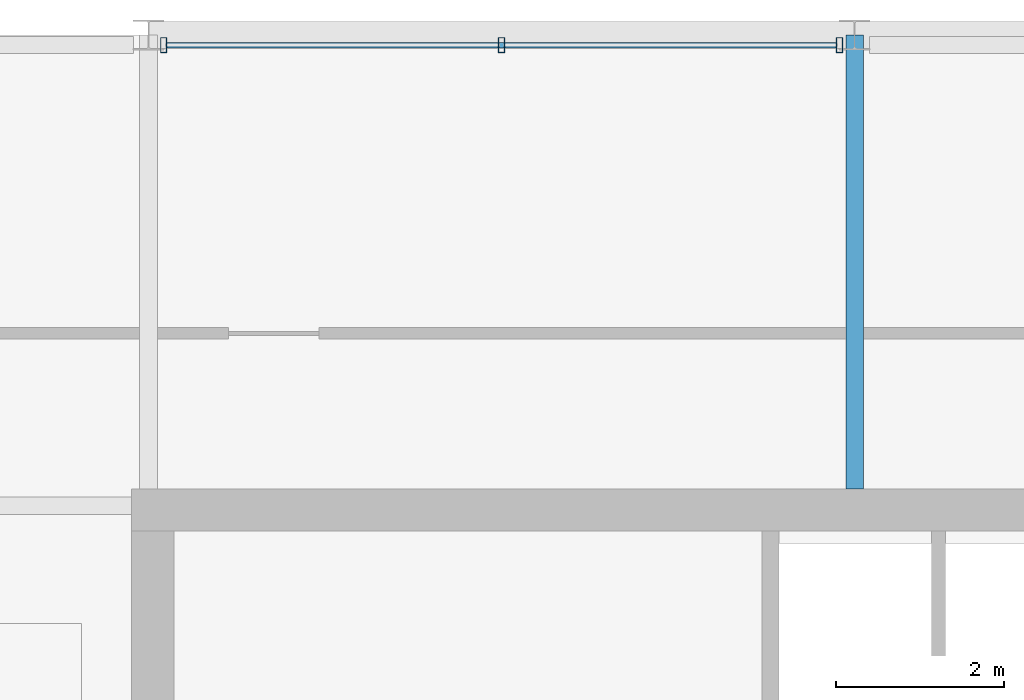
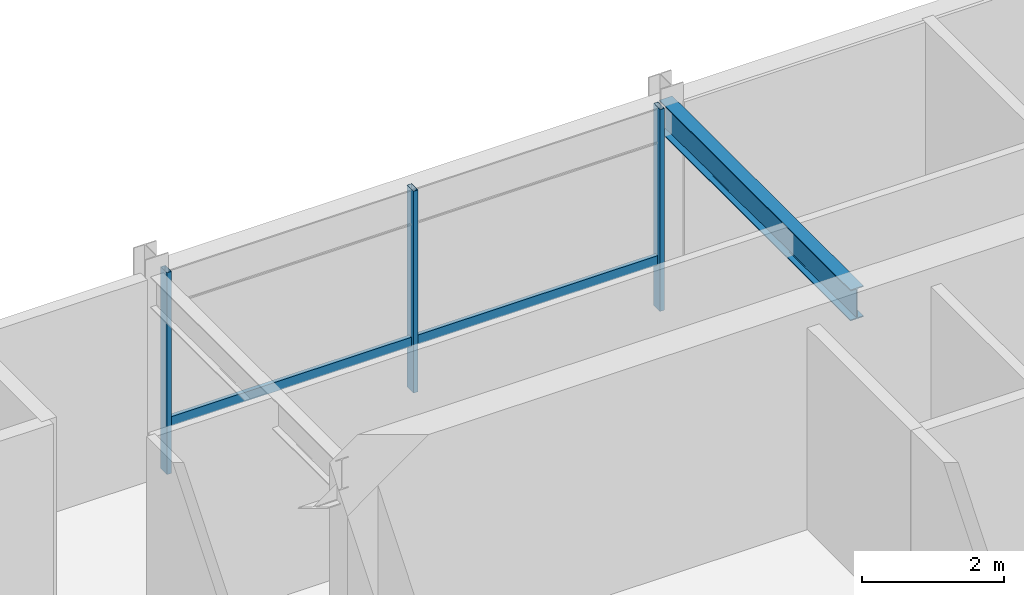
# One storey, part 8 of 12: 4 members, 1 beam, 1 element without a shape of its own.
"""IFC4 building model written with IfcOpenShell, lengths in metres."""

import ifcopenshell
import ifcopenshell.guid

model = None  # the IFC model being written
_history = None  # IfcOwnerHistory: only IFC2X3 demands one
_inside = {}  # id of a spatial element -> (the spatial element, [elements in it])
_under = {}  # id of a project, library or spatial element -> (it, [spatial elements below it])
_declared = {}  # id of a project -> (the project, [libraries it declares])
_typed = {}  # id of a type object -> (the type object, [elements of that type])
_made_of = {}  # id of a material, layer set ... -> (it, [elements and type objects made of it])


def new_model(schema):
    """Start an empty IFC model of exactly this schema.

    Asked for "IFC4X3", IfcOpenShell would pick the latest addendum, in which some entities
    have other attributes; the version numbers below select the first issue.
    IFC2X3 requires an IfcOwnerHistory on every rooted entity: one is made here for all.
    """
    global model, _history
    if schema == "IFC4X3":
        model = ifcopenshell.file(schema_version=(4, 3, 0, 0))
    else:
        model = ifcopenshell.file(schema=schema)
    _inside.clear()
    _under.clear()
    _declared.clear()
    _typed.clear()
    _made_of.clear()
    _history = None
    if model.schema == "IFC2X3":
        org = make("IfcOrganization", Name="unknown")
        user = make(
            "IfcPersonAndOrganization",
            ThePerson=make("IfcPerson", FamilyName="unknown"),
            TheOrganization=org,
        )
        app = make(
            "IfcApplication",
            ApplicationDeveloper=org,
            Version="unknown",
            ApplicationFullName="unknown",
            ApplicationIdentifier="unknown",
        )
        _history = make(
            "IfcOwnerHistory",
            OwningUser=user,
            OwningApplication=app,
            ChangeAction="ADDED",
            CreationDate=0,
        )
    return model


def make(cls, **values):
    """One entity of the class cls with the attributes given. An attribute that is None is left unset."""
    return model.create_entity(
        cls, **{name: value for name, value in values.items() if value is not None}
    )


def rooted(cls, **values):
    """An entity with a GlobalId (a new one), such as an element, a storey or a relation."""
    return make(cls, GlobalId=ifcopenshell.guid.new(), OwnerHistory=_history, **values)


def si_unit(unit_type, name, prefix=None):
    """IfcSIUnit, for example si_unit("LENGTHUNIT", "METRE", prefix="MILLI")."""
    return make("IfcSIUnit", UnitType=unit_type, Prefix=prefix, Name=name)


def assignment(units):
    """IfcUnitAssignment: the units of a project."""
    return None if units is None else make("IfcUnitAssignment", Units=units)


def point(xyz):
    """IfcCartesianPoint."""
    return None if xyz is None else make("IfcCartesianPoint", Coordinates=xyz)


def direction(xyz):
    """IfcDirection."""
    return None if xyz is None else make("IfcDirection", DirectionRatios=xyz)


def frame(location, z_axis=None, x_axis=None):
    """IfcAxis2Placement3D, a coordinate frame: its origin and axes. An axis left out is left unset."""
    return make(
        "IfcAxis2Placement3D",
        Location=point(location),
        Axis=direction(z_axis),
        RefDirection=direction(x_axis),
    )


def frame_2d(location, x_axis=None):
    """IfcAxis2Placement2D, a coordinate frame in the plane: its origin and x axis."""
    return make(
        "IfcAxis2Placement2D", Location=point(location), RefDirection=direction(x_axis)
    )


def origin():
    """The frame at (0, 0, 0) with its axes left unset."""
    return frame((0.0, 0.0, 0.0))


def origin_2d():
    """The frame at (0, 0) in the plane with its x axis left unset."""
    return frame_2d((0.0, 0.0))


def place(relative_to, where):
    """IfcLocalPlacement: puts the frame where relative to a parent placement (None: the world)."""
    return make(
        "IfcLocalPlacement", PlacementRelTo=relative_to, RelativePlacement=where
    )


def context(
    kind, dimensions, precision=None, world=None, true_north=None, identifier=None
):
    """IfcGeometricRepresentationContext, for example the 3D "Model" context."""
    return make(
        "IfcGeometricRepresentationContext",
        ContextIdentifier=identifier,
        ContextType=kind,
        CoordinateSpaceDimension=dimensions,
        Precision=precision,
        WorldCoordinateSystem=world,
        TrueNorth=true_north,
    )


def subcontext(parent, identifier, kind, view, scale=None):
    """IfcGeometricRepresentationSubContext, for example "Body" below "Model"."""
    return make(
        "IfcGeometricRepresentationSubContext",
        ContextIdentifier=identifier,
        ContextType=kind,
        ParentContext=parent,
        TargetScale=scale,
        TargetView=view,
    )


def project(units=None, contexts=None):
    """IfcProject with its units and contexts."""
    return rooted(
        "IfcProject",
        Name="project",
        RepresentationContexts=contexts,
        UnitsInContext=assignment(units),
    )


def spatial(cls, under=None, at=None, **own):
    """A site, building, storey or space (cls), placed at a placement, below another one or the project."""
    s = rooted(cls, ObjectPlacement=at, **own)
    if under is not None:
        _under.setdefault(under.id(), (under, []))[1].append(s)
    return s


def profile(cls, at=None, kind="AREA", **sizes):
    """A parametric profile (cls). Its sizes go by their IFC names, for example OverallWidth=200.0."""
    return make(cls, ProfileType=kind, Position=at, **sizes)


def hollow_rectangle(**sizes):
    """IfcRectangleHollowProfileDef."""
    return profile("IfcRectangleHollowProfileDef", **sizes)


def i_section(**sizes):
    """IfcIShapeProfileDef."""
    return profile("IfcIShapeProfileDef", **sizes)


def extrude(swept, where, along, depth):
    """IfcExtrudedAreaSolid: the profile swept, set in the frame where, extruded along a direction by depth."""
    return make(
        "IfcExtrudedAreaSolid",
        SweptArea=swept,
        Position=where,
        ExtrudedDirection=direction(along),
        Depth=depth,
    )


def shape(context_of_items, identifier, shape_type, items):
    """IfcShapeRepresentation: the items that make up one representation, for example the "Body"."""
    return make(
        "IfcShapeRepresentation",
        ContextOfItems=context_of_items,
        RepresentationIdentifier=identifier,
        RepresentationType=shape_type,
        Items=items,
    )


def material(Name=None, Category=None):
    """IfcMaterial."""
    return make("IfcMaterial", Name=Name, Category=Category)


def layer(
    of_material, thickness, ventilated=None, Name=None, Category=None, Priority=None
):
    """IfcMaterialLayer: one layer of a wall or slab, of a material (None: an air gap)."""
    return make(
        "IfcMaterialLayer",
        Material=of_material,
        LayerThickness=thickness,
        IsVentilated=ventilated,
        Name=Name,
        Category=Category,
        Priority=Priority,
    )


def layer_set(layers, Name=None):
    """IfcMaterialLayerSet."""
    return make("IfcMaterialLayerSet", MaterialLayers=layers, LayerSetName=Name)


def material_profile(
    of_material, cross_section, Name=None, Category=None, Priority=None
):
    """IfcMaterialProfile: a cross section and its material."""
    return make(
        "IfcMaterialProfile",
        Name=Name,
        Material=of_material,
        Profile=cross_section,
        Priority=Priority,
        Category=Category,
    )


def profile_set(profiles, Name=None, composite=None):
    """IfcMaterialProfileSet."""
    return make(
        "IfcMaterialProfileSet",
        Name=Name,
        MaterialProfiles=profiles,
        CompositeProfile=composite,
    )


def made_of(thing, what):
    """Note that an element or type object is made of a material, layer set ...; save() writes the relation."""
    if what is not None:
        _made_of.setdefault(what.id(), (what, []))[1].append(thing)
    return thing


def type_object(cls, material=None, **own):
    """A type object (cls), such as IfcWallType, which elements share."""
    return made_of(rooted(cls, **own), material)


def element(
    cls,
    number,
    at=None,
    inside=None,
    cuts=None,
    type_object=None,
    material=None,
    context=None,
    identifier="Body",
    shape_type=None,
    held_by="IfcProductDefinitionShape",
    body=None,
    shapes=None,
    **own,
):
    """One element of the class cls, such as IfcWall. Its Tag is "e" and its number.

    at: its placement. inside: the storey or other place that contains it. cuts: it is an
    opening in that element (IfcRelVoidsElement). A single representation is given by context,
    identifier, shape_type and body (its items); several are given by shapes. held_by: the class
    of the entity that holds the representations. save() writes the other relations.
    """
    e = rooted(cls, Tag="e%d" % number, ObjectPlacement=at, **own)
    if body is not None:
        shapes = [shape(context, identifier, shape_type, body)]
    if shapes is not None:
        e.Representation = make(held_by, Representations=shapes)
    if inside is not None:
        _inside.setdefault(inside.id(), (inside, []))[1].append(e)
    if cuts is not None:
        rooted(
            "IfcRelVoidsElement", RelatingBuildingElement=cuts, RelatedOpeningElement=e
        )
    if type_object is not None:
        _typed.setdefault(type_object.id(), (type_object, []))[1].append(e)
    return made_of(e, material)


def aggregate(whole, parts):
    """IfcRelAggregates: a whole, such as a stair, and the parts it consists of."""
    return rooted("IfcRelAggregates", RelatingObject=whole, RelatedObjects=parts)


def save(model, path):
    """Write the relations noted so far, then the file.

    IfcRelAggregates (storeys below a building ...), IfcRelContainedInSpatialStructure (elements
    in a storey), IfcRelDefinesByType, IfcRelAssociatesMaterial and IfcRelDeclares: one each for
    every whole, place, type object, material and project.
    """
    for whole, parts in _under.values():
        aggregate(whole, parts)
    for where, things in _inside.values():
        rooted(
            "IfcRelContainedInSpatialStructure",
            RelatedElements=things,
            RelatingStructure=where,
        )
    for kind, things in _typed.values():
        rooted("IfcRelDefinesByType", RelatedObjects=things, RelatingType=kind)
    for what, things in _made_of.values():
        rooted("IfcRelAssociatesMaterial", RelatedObjects=things, RelatingMaterial=what)
    for by, libraries in _declared.values():
        rooted("IfcRelDeclares", RelatingContext=by, RelatedDefinitions=libraries)
    model.write(path)


model = new_model("IFC4")

# Units and contexts
model_context = context("Model", 3, precision=1e-05, world=origin(), true_north=direction((0.0, 1.0)))
body_context = subcontext(model_context, "Body", "Model", "MODEL_VIEW")
ifc_project = project(units=[si_unit("LENGTHUNIT", "METRE"), si_unit("AREAUNIT", "SQUARE_METRE"), si_unit("VOLUMEUNIT", "CUBIC_METRE"), si_unit("PLANEANGLEUNIT", "RADIAN"), si_unit("MASSUNIT", "GRAM", prefix="KILO")], contexts=[model_context])

# Site, building, storey
site_placement = place(None, origin())
site = spatial("IfcSite", under=ifc_project, at=site_placement, CompositionType="ELEMENT")
building_placement = place(site_placement, origin())
building = spatial("IfcBuilding", under=site, at=building_placement, Name="Drelvath Grand Hotel", CompositionType="ELEMENT")
storey_placement = place(building_placement, frame((0.0, 0.0, 319.39990234375)))
storey = spatial("IfcBuildingStorey", under=building, at=storey_placement, Name="L83", CompositionType="ELEMENT", Elevation=319.39990234375)

# Curtain wall, members
ifc_material_1 = material(Name="Pale-Metal Anodised Aluminium Crown Frame", Category="aluminium")
ifc_layer = layer(ifc_material_1, 0.199951171875)
ifc_layer_set = layer_set([ifc_layer], Name="Pale-Metal Anodised Aluminium Crown Frame")
curtain_wall_type = type_object("IfcCurtainWallType", Name="Stick Curtain Wall CW-06 Pale-Metal Crown Clerestory", PredefinedType="NOTDEFINED", material=ifc_layer_set)
curtain_wall_placement = place(storey_placement, origin())
curtain_wall = element("IfcCurtainWall", 1, at=curtain_wall_placement, inside=storey, type_object=curtain_wall_type, Name="L83 CW-06 Curtain Wall CW06-L83-N", PredefinedType="NOTDEFINED")
ifc_material_profile_1 = material_profile(ifc_material_1, hollow_rectangle(XDim=0.06494140625, YDim=0.159912109375, WallThickness=0.00390625, at=origin_2d()), Name="HSS160X65X4")
ifc_profile_set_1 = profile_set([ifc_material_profile_1], Name="Pale-Metal Anodised Aluminium Crown Frame")
member_type_1 = type_object("IfcMemberType", Name="Curtain Wall Horizontal Transom CW-06 HSS160X65X4", PredefinedType="USERDEFINED", material=ifc_profile_set_1)
member_1_placement = place(storey_placement, frame((-8.1796875, 40.8798828125, 0.85009765625), z_axis=(1.0, 0.0, 0.0), x_axis=(0.0, 1.0, 0.0)))
member_1 = element("IfcMember", 2, at=member_1_placement, type_object=member_type_1, Name="CW06-L83-N Sill Transom", ObjectType="TRANSOM", PredefinedType="USERDEFINED", context=body_context, shape_type="SweptSolid", body=[
    extrude(hollow_rectangle(XDim=0.06494140625, YDim=0.159912109375, WallThickness=0.00390625, at=origin_2d()), origin(), (0.0, 0.0, 1.0), 7.959228515625),
])
ifc_material_profile_2 = material_profile(ifc_material_1, hollow_rectangle(XDim=0.074951171875, YDim=0.179931640625, WallThickness=0.0048828125, at=origin_2d()), Name="HSS180X75X5")
ifc_profile_set_2 = profile_set([ifc_material_profile_2], Name="Pale-Metal Anodised Aluminium Crown Frame")
member_type_2 = type_object("IfcMemberType", Name="Curtain Wall Vertical Mullion CW-06 HSS180X75X5", PredefinedType="MULLION", material=ifc_profile_set_2)
member_2_placement = place(storey_placement, frame((-8.219482421875, 40.8798828125, 0.0), z_axis=(0.0, 0.0, 1.0), x_axis=(1.0, 0.0, 0.0)))
member_2 = element("IfcMember", 3, at=member_2_placement, type_object=member_type_2, Name="CW06-L83-N Mullion 1", PredefinedType="MULLION", context=body_context, shape_type="SweptSolid", body=[
    extrude(hollow_rectangle(XDim=0.074951171875, YDim=0.179931640625, WallThickness=0.0048828125, at=origin_2d()), origin(), (0.0, 0.0, 1.0), 3.47998046875),
])
member_3_placement = place(storey_placement, frame((-4.199951171875, 40.8798828125, 0.0), z_axis=(0.0, 0.0, 1.0), x_axis=(1.0, 0.0, 0.0)))
member_3 = element("IfcMember", 4, at=member_3_placement, type_object=member_type_2, Name="CW06-L83-N Mullion 2", PredefinedType="MULLION", context=body_context, shape_type="SweptSolid", body=[
    extrude(hollow_rectangle(XDim=0.074951171875, YDim=0.179931640625, WallThickness=0.0048828125, at=origin_2d()), origin(), (0.0, 0.0, 1.0), 3.47998046875),
])
member_4_placement = place(storey_placement, frame((-0.180419921875, 40.8798828125, 0.0), z_axis=(0.0, 0.0, 1.0), x_axis=(1.0, 0.0, 0.0)))
member_4 = element("IfcMember", 5, at=member_4_placement, type_object=member_type_2, Name="CW06-L83-N Mullion 3", PredefinedType="MULLION", context=body_context, shape_type="SweptSolid", body=[
    extrude(hollow_rectangle(XDim=0.074951171875, YDim=0.179931640625, WallThickness=0.0048828125, at=origin_2d()), origin(), (0.0, 0.0, 1.0), 3.47998046875),
])
aggregate(curtain_wall, [member_2, member_3, member_4, member_1])

# Beam
ifc_material_2 = material(Name="Steel ASTM A992 Gr 50", Category="steel")
ifc_material_profile_3 = material_profile(ifc_material_2, i_section(OverallWidth=0.210205078125, OverallDepth=0.53662109375, WebThickness=0.010986328125, FlangeThickness=0.017333984375, FilletRadius=0.01806640625, at=origin_2d()), Name="W21X68")
ifc_profile_set_3 = profile_set([ifc_material_profile_3], Name="Steel ASTM A992 Gr 50")
beam_type = type_object("IfcBeamType", Name="Primary Floor Girder W21X68", PredefinedType="BEAM", material=ifc_profile_set_3)
beam_placement = place(storey_placement, frame((0.0, 35.60009765625, 3.211669921875), z_axis=(0.0, 1.0, 0.0), x_axis=(-1.0, 0.0, 0.0)))
element("IfcBeam", 6, at=beam_placement, inside=storey, type_object=beam_type, Name="L83 Crown Drum Tie North 5", PredefinedType="BEAM", context=body_context, shape_type="SweptSolid", body=[
    extrude(i_section(OverallWidth=0.210205078125, OverallDepth=0.53662109375, WebThickness=0.010986328125, FlangeThickness=0.017333984375, FilletRadius=0.01806640625, at=origin_2d()), origin(), (0.0, 0.0, 1.0), 5.39990234375),
])

save(model, "model.ifc")
